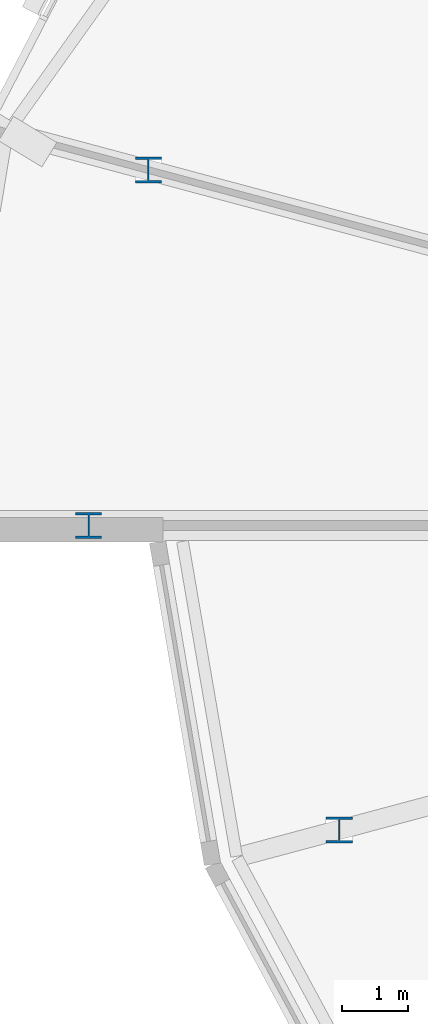
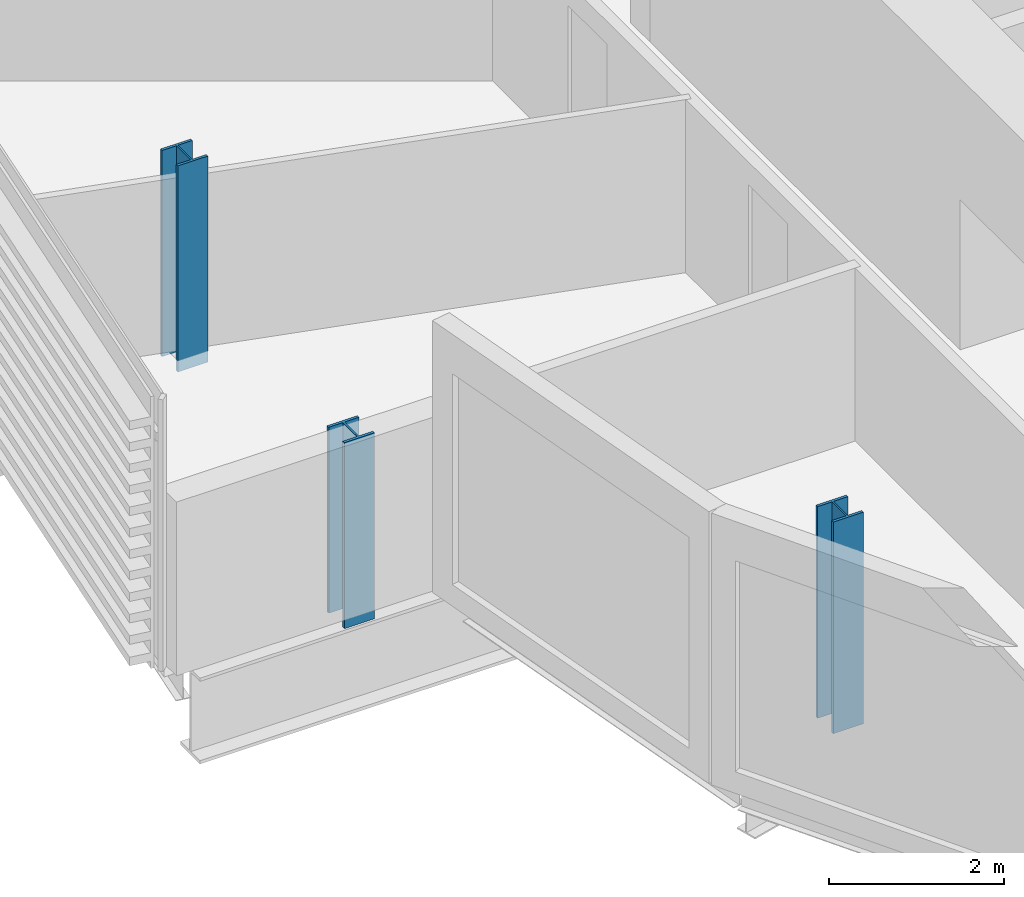
# One storey, part 1 of 38: 3 columns.
"""IFC4 building model written with IfcOpenShell, lengths in metres."""

import ifcopenshell
import ifcopenshell.guid

model = None  # the IFC model being written
_history = None  # IfcOwnerHistory: only IFC2X3 demands one
_inside = {}  # id of a spatial element -> (the spatial element, [elements in it])
_under = {}  # id of a project, library or spatial element -> (it, [spatial elements below it])
_declared = {}  # id of a project -> (the project, [libraries it declares])
_typed = {}  # id of a type object -> (the type object, [elements of that type])
_made_of = {}  # id of a material, layer set ... -> (it, [elements and type objects made of it])


def new_model(schema):
    """Start an empty IFC model of exactly this schema.

    Asked for "IFC4X3", IfcOpenShell would pick the latest addendum, in which some entities
    have other attributes; the version numbers below select the first issue.
    IFC2X3 requires an IfcOwnerHistory on every rooted entity: one is made here for all.
    """
    global model, _history
    if schema == "IFC4X3":
        model = ifcopenshell.file(schema_version=(4, 3, 0, 0))
    else:
        model = ifcopenshell.file(schema=schema)
    _inside.clear()
    _under.clear()
    _declared.clear()
    _typed.clear()
    _made_of.clear()
    _history = None
    if model.schema == "IFC2X3":
        org = make("IfcOrganization", Name="unknown")
        user = make(
            "IfcPersonAndOrganization",
            ThePerson=make("IfcPerson", FamilyName="unknown"),
            TheOrganization=org,
        )
        app = make(
            "IfcApplication",
            ApplicationDeveloper=org,
            Version="unknown",
            ApplicationFullName="unknown",
            ApplicationIdentifier="unknown",
        )
        _history = make(
            "IfcOwnerHistory",
            OwningUser=user,
            OwningApplication=app,
            ChangeAction="ADDED",
            CreationDate=0,
        )
    return model


def make(cls, **values):
    """One entity of the class cls with the attributes given. An attribute that is None is left unset."""
    return model.create_entity(
        cls, **{name: value for name, value in values.items() if value is not None}
    )


def rooted(cls, **values):
    """An entity with a GlobalId (a new one), such as an element, a storey or a relation."""
    return make(cls, GlobalId=ifcopenshell.guid.new(), OwnerHistory=_history, **values)


def si_unit(unit_type, name, prefix=None):
    """IfcSIUnit, for example si_unit("LENGTHUNIT", "METRE", prefix="MILLI")."""
    return make("IfcSIUnit", UnitType=unit_type, Prefix=prefix, Name=name)


def assignment(units):
    """IfcUnitAssignment: the units of a project."""
    return None if units is None else make("IfcUnitAssignment", Units=units)


def point(xyz):
    """IfcCartesianPoint."""
    return None if xyz is None else make("IfcCartesianPoint", Coordinates=xyz)


def direction(xyz):
    """IfcDirection."""
    return None if xyz is None else make("IfcDirection", DirectionRatios=xyz)


def frame(location, z_axis=None, x_axis=None):
    """IfcAxis2Placement3D, a coordinate frame: its origin and axes. An axis left out is left unset."""
    return make(
        "IfcAxis2Placement3D",
        Location=point(location),
        Axis=direction(z_axis),
        RefDirection=direction(x_axis),
    )


def frame_2d(location, x_axis=None):
    """IfcAxis2Placement2D, a coordinate frame in the plane: its origin and x axis."""
    return make(
        "IfcAxis2Placement2D", Location=point(location), RefDirection=direction(x_axis)
    )


def origin():
    """The frame at (0, 0, 0) with its axes left unset."""
    return frame((0.0, 0.0, 0.0))


def origin_2d():
    """The frame at (0, 0) in the plane with its x axis left unset."""
    return frame_2d((0.0, 0.0))


def place(relative_to, where):
    """IfcLocalPlacement: puts the frame where relative to a parent placement (None: the world)."""
    return make(
        "IfcLocalPlacement", PlacementRelTo=relative_to, RelativePlacement=where
    )


def context(
    kind, dimensions, precision=None, world=None, true_north=None, identifier=None
):
    """IfcGeometricRepresentationContext, for example the 3D "Model" context."""
    return make(
        "IfcGeometricRepresentationContext",
        ContextIdentifier=identifier,
        ContextType=kind,
        CoordinateSpaceDimension=dimensions,
        Precision=precision,
        WorldCoordinateSystem=world,
        TrueNorth=true_north,
    )


def subcontext(parent, identifier, kind, view, scale=None):
    """IfcGeometricRepresentationSubContext, for example "Body" below "Model"."""
    return make(
        "IfcGeometricRepresentationSubContext",
        ContextIdentifier=identifier,
        ContextType=kind,
        ParentContext=parent,
        TargetScale=scale,
        TargetView=view,
    )


def project(units=None, contexts=None):
    """IfcProject with its units and contexts."""
    return rooted(
        "IfcProject",
        Name="project",
        RepresentationContexts=contexts,
        UnitsInContext=assignment(units),
    )


def spatial(cls, under=None, at=None, **own):
    """A site, building, storey or space (cls), placed at a placement, below another one or the project."""
    s = rooted(cls, ObjectPlacement=at, **own)
    if under is not None:
        _under.setdefault(under.id(), (under, []))[1].append(s)
    return s


def profile(cls, at=None, kind="AREA", **sizes):
    """A parametric profile (cls). Its sizes go by their IFC names, for example OverallWidth=200.0."""
    return make(cls, ProfileType=kind, Position=at, **sizes)


def i_section(**sizes):
    """IfcIShapeProfileDef."""
    return profile("IfcIShapeProfileDef", **sizes)


def extrude(swept, where, along, depth):
    """IfcExtrudedAreaSolid: the profile swept, set in the frame where, extruded along a direction by depth."""
    return make(
        "IfcExtrudedAreaSolid",
        SweptArea=swept,
        Position=where,
        ExtrudedDirection=direction(along),
        Depth=depth,
    )


def shape(context_of_items, identifier, shape_type, items):
    """IfcShapeRepresentation: the items that make up one representation, for example the "Body"."""
    return make(
        "IfcShapeRepresentation",
        ContextOfItems=context_of_items,
        RepresentationIdentifier=identifier,
        RepresentationType=shape_type,
        Items=items,
    )


def material(Name=None, Category=None):
    """IfcMaterial."""
    return make("IfcMaterial", Name=Name, Category=Category)


def material_profile(
    of_material, cross_section, Name=None, Category=None, Priority=None
):
    """IfcMaterialProfile: a cross section and its material."""
    return make(
        "IfcMaterialProfile",
        Name=Name,
        Material=of_material,
        Profile=cross_section,
        Priority=Priority,
        Category=Category,
    )


def profile_set(profiles, Name=None, composite=None):
    """IfcMaterialProfileSet."""
    return make(
        "IfcMaterialProfileSet",
        Name=Name,
        MaterialProfiles=profiles,
        CompositeProfile=composite,
    )


def made_of(thing, what):
    """Note that an element or type object is made of a material, layer set ...; save() writes the relation."""
    if what is not None:
        _made_of.setdefault(what.id(), (what, []))[1].append(thing)
    return thing


def type_object(cls, material=None, **own):
    """A type object (cls), such as IfcWallType, which elements share."""
    return made_of(rooted(cls, **own), material)


def element(
    cls,
    number,
    at=None,
    inside=None,
    cuts=None,
    type_object=None,
    material=None,
    context=None,
    identifier="Body",
    shape_type=None,
    held_by="IfcProductDefinitionShape",
    body=None,
    shapes=None,
    **own,
):
    """One element of the class cls, such as IfcWall. Its Tag is "e" and its number.

    at: its placement. inside: the storey or other place that contains it. cuts: it is an
    opening in that element (IfcRelVoidsElement). A single representation is given by context,
    identifier, shape_type and body (its items); several are given by shapes. held_by: the class
    of the entity that holds the representations. save() writes the other relations.
    """
    e = rooted(cls, Tag="e%d" % number, ObjectPlacement=at, **own)
    if body is not None:
        shapes = [shape(context, identifier, shape_type, body)]
    if shapes is not None:
        e.Representation = make(held_by, Representations=shapes)
    if inside is not None:
        _inside.setdefault(inside.id(), (inside, []))[1].append(e)
    if cuts is not None:
        rooted(
            "IfcRelVoidsElement", RelatingBuildingElement=cuts, RelatedOpeningElement=e
        )
    if type_object is not None:
        _typed.setdefault(type_object.id(), (type_object, []))[1].append(e)
    return made_of(e, material)


def aggregate(whole, parts):
    """IfcRelAggregates: a whole, such as a stair, and the parts it consists of."""
    return rooted("IfcRelAggregates", RelatingObject=whole, RelatedObjects=parts)


def save(model, path):
    """Write the relations noted so far, then the file.

    IfcRelAggregates (storeys below a building ...), IfcRelContainedInSpatialStructure (elements
    in a storey), IfcRelDefinesByType, IfcRelAssociatesMaterial and IfcRelDeclares: one each for
    every whole, place, type object, material and project.
    """
    for whole, parts in _under.values():
        aggregate(whole, parts)
    for where, things in _inside.values():
        rooted(
            "IfcRelContainedInSpatialStructure",
            RelatedElements=things,
            RelatingStructure=where,
        )
    for kind, things in _typed.values():
        rooted("IfcRelDefinesByType", RelatedObjects=things, RelatingType=kind)
    for what, things in _made_of.values():
        rooted("IfcRelAssociatesMaterial", RelatedObjects=things, RelatingMaterial=what)
    for by, libraries in _declared.values():
        rooted("IfcRelDeclares", RelatingContext=by, RelatedDefinitions=libraries)
    model.write(path)


model = new_model("IFC4")

# Units and contexts
model_context = context("Model", 3, precision=1e-05, world=origin(), true_north=direction((0.0, 1.0)))
body_context = subcontext(model_context, "Body", "Model", "MODEL_VIEW")
ifc_project = project(units=[si_unit("LENGTHUNIT", "METRE"), si_unit("AREAUNIT", "SQUARE_METRE"), si_unit("VOLUMEUNIT", "CUBIC_METRE"), si_unit("PLANEANGLEUNIT", "RADIAN"), si_unit("MASSUNIT", "GRAM", prefix="KILO")], contexts=[model_context])

# Site, building, storey
site_placement = place(None, origin())
site = spatial("IfcSite", under=ifc_project, at=site_placement, CompositionType="ELEMENT")
building_placement = place(site_placement, origin())
building = spatial("IfcBuilding", under=site, at=building_placement, Name="Rimbun Link Towers", CompositionType="ELEMENT")
storey_placement = place(building_placement, frame((0.0, 0.0, 68.0)))
storey = spatial("IfcBuildingStorey", under=building, at=storey_placement, Name="L16", CompositionType="ELEMENT", Elevation=68.0)

# Columns
ifc_material = material(Name="Steel S355J2", Category="steel")
ifc_material_profile = material_profile(ifc_material, i_section(OverallWidth=0.39892578125, OverallDepth=0.3935546875, WebThickness=0.022705078125, FlangeThickness=0.03662109375, at=origin_2d()), Name="UC 356x406x287")
ifc_profile_set = profile_set([ifc_material_profile], Name="Steel S355J2")
column_type = type_object("IfcColumnType", Name="UC 356x406x287", PredefinedType="COLUMN", material=ifc_profile_set)
column_1_placement = place(storey_placement, frame((-51.86572265625, 5.389892578125, -0.159912109375), z_axis=(0.0, 0.0, 1.0), x_axis=(1.0, 0.0, 0.0)))
element("IfcColumn", 1, at=column_1_placement, inside=storey, type_object=column_type, Name="Crease post T1 L16 11", PredefinedType="COLUMN", context=body_context, shape_type="SweptSolid", body=[
    extrude(i_section(OverallWidth=0.39892578125, OverallDepth=0.3935546875, WebThickness=0.022705078125, FlangeThickness=0.03662109375, at=origin_2d()), origin(), (0.0, 0.0, 1.0), 2.881591796875),
])
column_2_placement = place(storey_placement, frame((-52.77490234375, 0.0, -0.159912109375), z_axis=(0.0, 0.0, 1.0), x_axis=(1.0, 0.0, 0.0)))
element("IfcColumn", 2, at=column_2_placement, inside=storey, type_object=column_type, Name="Crease post T1 L16 12", PredefinedType="COLUMN", context=body_context, shape_type="SweptSolid", body=[
    extrude(i_section(OverallWidth=0.39892578125, OverallDepth=0.3935546875, WebThickness=0.022705078125, FlangeThickness=0.03662109375, at=origin_2d()), origin(), (0.0, 0.0, 1.0), 2.599853515625),
])
column_3_placement = place(storey_placement, frame((-48.974853515625, -4.615478515625, -0.159912109375), z_axis=(0.0, 0.0, 1.0), x_axis=(1.0, 0.0, 0.0)))
element("IfcColumn", 3, at=column_3_placement, inside=storey, type_object=column_type, Name="Crease post T1 L16 13", PredefinedType="COLUMN", context=body_context, shape_type="SweptSolid", body=[
    extrude(i_section(OverallWidth=0.39892578125, OverallDepth=0.3935546875, WebThickness=0.022705078125, FlangeThickness=0.03662109375, at=origin_2d()), origin(), (0.0, 0.0, 1.0), 2.959228515625),
])

save(model, "model.ifc")
